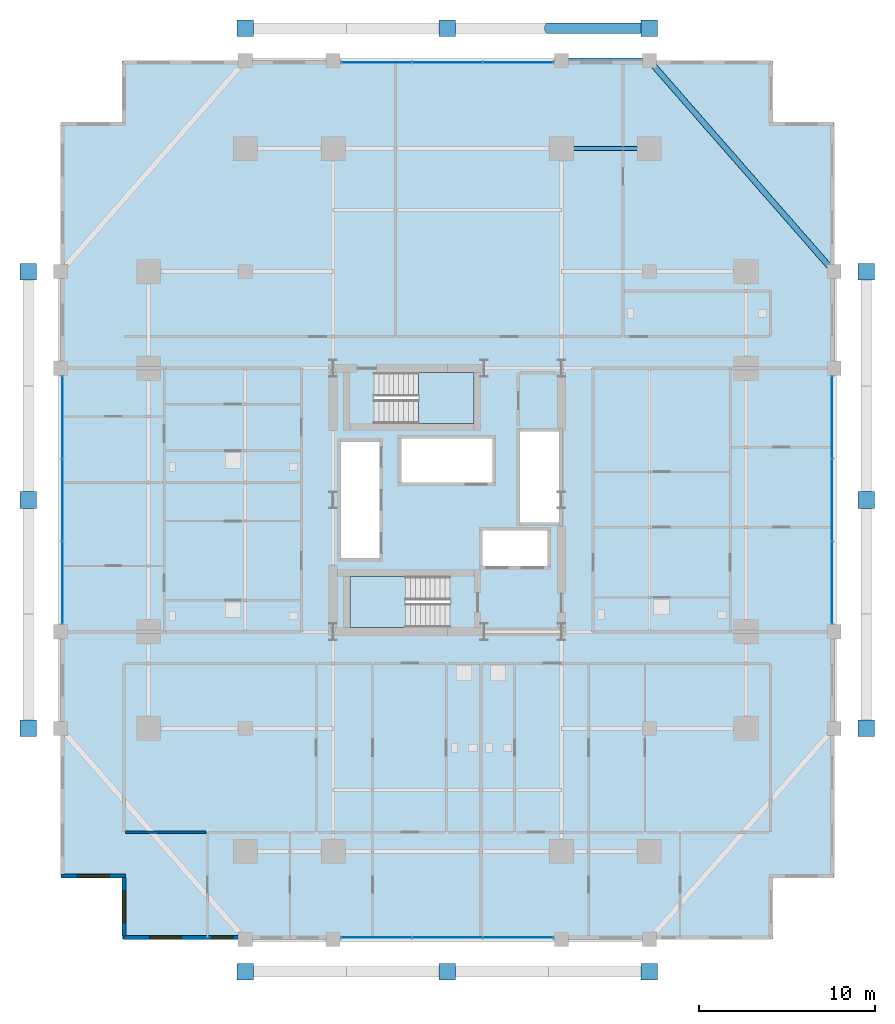
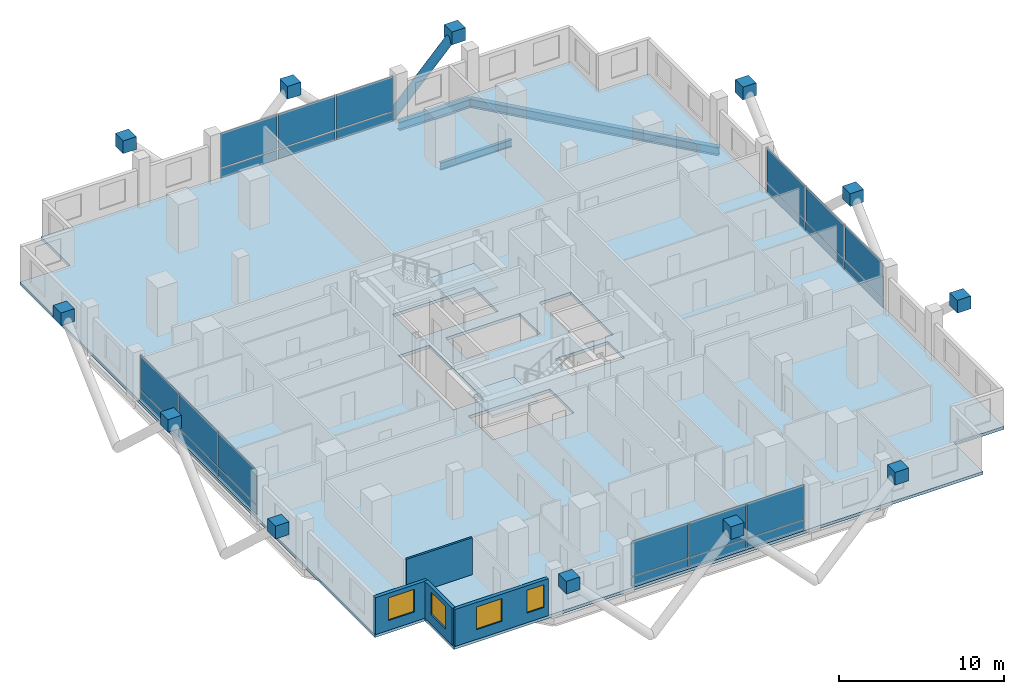
# One storey, part 16 of 23: 36 plates, 4 walls, 4 windows, 3 beams, 3 slabs, 1 member, 4 openings, 6 elements without a shape of their own.
"""IFC4 building model written with IfcOpenShell, lengths in metres."""

from ifc_helpers import new_model, si_unit, direction, frame, frame_2d, origin, origin_2d, place, context, subcontext, project, spatial, polyline, rectangle, hollow_circle, i_section, outline, extrude, material, layer, layer_set, material_profile, profile_set, type_object, element, fill, aggregate, save


model = new_model("IFC4")

# Units and contexts
model_context = context("Model", 3, precision=1e-05, world=origin(), true_north=direction((0.0, 1.0)))
body_context = subcontext(model_context, "Body", "Model", "MODEL_VIEW")
ifc_project = project(units=[si_unit("LENGTHUNIT", "METRE"), si_unit("AREAUNIT", "SQUARE_METRE"), si_unit("VOLUMEUNIT", "CUBIC_METRE"), si_unit("PLANEANGLEUNIT", "RADIAN"), si_unit("MASSUNIT", "GRAM", prefix="KILO")], contexts=[model_context])

# Site, building, storey
site_placement = place(None, origin())
site = spatial("IfcSite", under=ifc_project, at=site_placement, CompositionType="ELEMENT")
building_placement = place(site_placement, origin())
building = spatial("IfcBuilding", under=site, at=building_placement, Name="Barlavira Tower and Art Museum", CompositionType="ELEMENT")
storey_placement = place(building_placement, frame((0.0, 0.0, 36.0)))
storey = spatial("IfcBuildingStorey", under=building, at=storey_placement, Name="L07", CompositionType="ELEMENT", Elevation=36.0)

# Member
ifc_material_1 = material(Name="Steel S355", Category="steel")
ifc_material_profile_1 = material_profile(ifc_material_1, hollow_circle(Radius=0.304931640625, WallThickness=0.028076171875, at=origin_2d()), Name="CHS 610.0x28.0")
ifc_profile_set_1 = profile_set([ifc_material_profile_1], Name="Steel S355")
member_type = type_object("IfcMemberType", Name="Pale-Metal Exoskeleton Diagrid Tube CHS 610x28 Steel S355", PredefinedType="BRACE", material=ifc_profile_set_1)
member_placement = place(storey_placement, frame((5.75, 26.85009765625, -2.52001953125), z_axis=(0.691905363236, 0.0, 0.721988205115), x_axis=(0.0, 1.0, 0.0)))
element("IfcMember", 1, at=member_placement, inside=storey, type_object=member_type, Name="L07 Exoskeleton Diagrid Tube N", PredefinedType="BRACE", context=body_context, shape_type="SweptSolid", body=[
    extrude(hollow_circle(Radius=0.304931640625, WallThickness=0.028076171875, at=origin_2d()), origin(), (0.0, 0.0, 1.0), 8.310302734375),
])

# Beams
ifc_material_profile_2 = material_profile(ifc_material_1, i_section(OverallWidth=0.327880859375, OverallDepth=0.62890625, WebThickness=0.013916015625, FlangeThickness=0.021484375, at=origin_2d()), Name="W610x174.0")
ifc_profile_set_2 = profile_set([ifc_material_profile_2], Name="Steel S355")
beam_type_1 = type_object("IfcBeamType", Name="Perimeter Spandrel Edge Beam W610x174 Steel S355", PredefinedType="SPANDREL", material=ifc_profile_set_2)
beam_1_placement = place(storey_placement, frame((22.0, 13.0, -0.534423828125), z_axis=(-0.658504607869, 0.752576694707, 0.0), x_axis=(-0.752576694707, -0.658504607869, 0.0)))
element("IfcBeam", 2, at=beam_1_placement, inside=storey, type_object=beam_type_1, Name="L07 Spandrel 8", PredefinedType="SPANDREL", context=body_context, shape_type="SweptSolid", body=[
    extrude(i_section(OverallWidth=0.327880859375, OverallDepth=0.62890625, WebThickness=0.013916015625, FlangeThickness=0.021484375, at=origin_2d()), origin(), (0.0, 0.0, 1.0), 15.9453125),
])
beam_2_placement = place(storey_placement, frame((6.5, 25.0, -0.534423828125), z_axis=(1.0, 0.0, 0.0), x_axis=(0.0, 1.0, 0.0)))
element("IfcBeam", 3, at=beam_2_placement, inside=storey, type_object=beam_type_1, Name="L07 Spandrel 9", PredefinedType="SPANDREL", context=body_context, shape_type="SweptSolid", body=[
    extrude(i_section(OverallWidth=0.327880859375, OverallDepth=0.62890625, WebThickness=0.013916015625, FlangeThickness=0.021484375, at=origin_2d()), origin(), (0.0, 0.0, 1.0), 5.0),
])
ifc_material_profile_3 = material_profile(ifc_material_1, i_section(OverallWidth=0.214111328125, OverallDepth=0.549072265625, WebThickness=0.0146484375, FlangeThickness=0.023681640625, at=origin_2d()), Name="W530x138.0")
ifc_profile_set_3 = profile_set([ifc_material_profile_3], Name="Steel S355")
beam_type_2 = type_object("IfcBeamType", Name="Zone 1 Primary Floor Girder W530x138 Steel S355", PredefinedType="BEAM", material=ifc_profile_set_3)
beam_3_placement = place(storey_placement, frame((6.5, 20.0, -0.494384765625), z_axis=(1.0, 0.0, 0.0), x_axis=(0.0, 1.0, 0.0)))
element("IfcBeam", 4, at=beam_3_placement, inside=storey, type_object=beam_type_2, Name="L07 Girder M-N3", PredefinedType="BEAM", context=body_context, shape_type="SweptSolid", body=[
    extrude(i_section(OverallWidth=0.214111328125, OverallDepth=0.549072265625, WebThickness=0.0146484375, FlangeThickness=0.023681640625, at=origin_2d()), origin(), (0.0, 0.0, 1.0), 5.0),
])

# Curtain wall, plates
ifc_material_2 = material(Name="Low-iron coastal laminated glass", Category="glass")
ifc_layer_1 = layer(ifc_material_2, 0.179931640625, Name="Low-iron coastal laminated glass")
ifc_layer_set_1 = layer_set([ifc_layer_1], Name="Low-iron coastal laminated glass")
curtain_wall_type = type_object("IfcCurtainWallType", Name="Pale-Metal Unitised Curtain Wall Zone 1", PredefinedType="NOTDEFINED", material=ifc_layer_set_1)
curtain_wall_1_placement = place(storey_placement, origin())
curtain_wall_1 = element("IfcCurtainWall", 5, at=curtain_wall_1_placement, inside=storey, type_object=curtain_wall_type, Name="L07 Curtain Wall CW1-L07-S-B3", PredefinedType="NOTDEFINED")
ifc_material_3 = material(Name="Pale anodised aluminium", Category="aluminium")
ifc_layer_2 = layer(ifc_material_3, 0.044921875, Name="Pale anodised aluminium")
ifc_layer_set_2 = layer_set([ifc_layer_2], Name="Pale anodised aluminium")
plate_type_1 = type_object("IfcPlateType", Name="Curtain Wall Pale-Metal Spandrel Panel 45", PredefinedType="CURTAIN_PANEL", material=ifc_layer_set_2)
plate_1_placement = place(storey_placement, frame((-4.05322265625, -24.89990234375, 0.0400390625), z_axis=(0.0, 0.0, 1.0), x_axis=(1.0, 0.0, 0.0)))
plate_1 = element("IfcPlate", 6, at=plate_1_placement, type_object=plate_type_1, Name="CW1-L07-S-B3 Spandrel Panel 0", PredefinedType="CURTAIN_PANEL", context=body_context, shape_type="SweptSolid", body=[
    extrude(rectangle(XDim=3.953369140625, YDim=0.044921875, at=origin_2d()), origin(), (0.0, 0.0, 1.0), 0.6640625),
])
plate_2_placement = place(storey_placement, frame((0.0, -24.89990234375, 0.0400390625), z_axis=(0.0, 0.0, 1.0), x_axis=(1.0, 0.0, 0.0)))
plate_2 = element("IfcPlate", 7, at=plate_2_placement, type_object=plate_type_1, Name="CW1-L07-S-B3 Spandrel Panel 1", PredefinedType="CURTAIN_PANEL", context=body_context, shape_type="SweptSolid", body=[
    extrude(rectangle(XDim=3.953369140625, YDim=0.044921875, at=origin_2d()), origin(), (0.0, 0.0, 1.0), 0.6640625),
])
plate_3_placement = place(storey_placement, frame((4.05322265625, -24.89990234375, 0.0400390625), z_axis=(0.0, 0.0, 1.0), x_axis=(1.0, 0.0, 0.0)))
plate_3 = element("IfcPlate", 8, at=plate_3_placement, type_object=plate_type_1, Name="CW1-L07-S-B3 Spandrel Panel 2", PredefinedType="CURTAIN_PANEL", context=body_context, shape_type="SweptSolid", body=[
    extrude(rectangle(XDim=3.953369140625, YDim=0.044921875, at=origin_2d()), origin(), (0.0, 0.0, 1.0), 0.6640625),
])

curtain_wall_2_placement = place(storey_placement, origin())
curtain_wall_2 = element("IfcCurtainWall", 9, at=curtain_wall_2_placement, inside=storey, type_object=curtain_wall_type, Name="L07 Curtain Wall CW1-L07-N-B3", PredefinedType="NOTDEFINED")
plate_4_placement = place(storey_placement, frame((4.05322265625, 24.89990234375, 0.0400390625), z_axis=(0.0, 0.0, 1.0), x_axis=(-1.0, 0.0, 0.0)))
plate_4 = element("IfcPlate", 10, at=plate_4_placement, type_object=plate_type_1, Name="CW1-L07-N-B3 Spandrel Panel 0", PredefinedType="CURTAIN_PANEL", context=body_context, shape_type="SweptSolid", body=[
    extrude(rectangle(XDim=3.953369140625, YDim=0.044921875, at=origin_2d()), origin(), (0.0, 0.0, 1.0), 0.6640625),
])
plate_5_placement = place(storey_placement, frame((0.0, 24.89990234375, 0.0400390625), z_axis=(0.0, 0.0, 1.0), x_axis=(-1.0, 0.0, 0.0)))
plate_5 = element("IfcPlate", 11, at=plate_5_placement, type_object=plate_type_1, Name="CW1-L07-N-B3 Spandrel Panel 1", PredefinedType="CURTAIN_PANEL", context=body_context, shape_type="SweptSolid", body=[
    extrude(rectangle(XDim=3.953369140625, YDim=0.044921875, at=origin_2d()), origin(), (0.0, 0.0, 1.0), 0.6640625),
])
plate_6_placement = place(storey_placement, frame((-4.05322265625, 24.89990234375, 0.0400390625), z_axis=(0.0, 0.0, 1.0), x_axis=(-1.0, 0.0, 0.0)))
plate_6 = element("IfcPlate", 12, at=plate_6_placement, type_object=plate_type_1, Name="CW1-L07-N-B3 Spandrel Panel 2", PredefinedType="CURTAIN_PANEL", context=body_context, shape_type="SweptSolid", body=[
    extrude(rectangle(XDim=3.953369140625, YDim=0.044921875, at=origin_2d()), origin(), (0.0, 0.0, 1.0), 0.6640625),
])

curtain_wall_3_placement = place(storey_placement, origin())
curtain_wall_3 = element("IfcCurtainWall", 13, at=curtain_wall_3_placement, inside=storey, type_object=curtain_wall_type, Name="L07 Curtain Wall CW1-L07-W-B3", PredefinedType="NOTDEFINED")
plate_7_placement = place(storey_placement, frame((-21.89990234375, 4.719970703125, 0.0400390625), z_axis=(0.0, 0.0, 1.0), x_axis=(0.0, -1.0, 0.0)))
plate_7 = element("IfcPlate", 14, at=plate_7_placement, type_object=plate_type_1, Name="CW1-L07-W-B3 Spandrel Panel 0", PredefinedType="CURTAIN_PANEL", context=body_context, shape_type="SweptSolid", body=[
    extrude(rectangle(XDim=4.6201171875, YDim=0.044921875, at=origin_2d()), origin(), (0.0, 0.0, 1.0), 0.6640625),
])
plate_8_placement = place(storey_placement, frame((-21.89990234375, 0.0, 0.0400390625), z_axis=(0.0, 0.0, 1.0), x_axis=(0.0, -1.0, 0.0)))
plate_8 = element("IfcPlate", 15, at=plate_8_placement, type_object=plate_type_1, Name="CW1-L07-W-B3 Spandrel Panel 1", PredefinedType="CURTAIN_PANEL", context=body_context, shape_type="SweptSolid", body=[
    extrude(rectangle(XDim=4.6201171875, YDim=0.044921875, at=origin_2d()), origin(), (0.0, 0.0, 1.0), 0.6640625),
])
plate_9_placement = place(storey_placement, frame((-21.89990234375, -4.719970703125, 0.0400390625), z_axis=(0.0, 0.0, 1.0), x_axis=(0.0, -1.0, 0.0)))
plate_9 = element("IfcPlate", 16, at=plate_9_placement, type_object=plate_type_1, Name="CW1-L07-W-B3 Spandrel Panel 2", PredefinedType="CURTAIN_PANEL", context=body_context, shape_type="SweptSolid", body=[
    extrude(rectangle(XDim=4.6201171875, YDim=0.044921875, at=origin_2d()), origin(), (0.0, 0.0, 1.0), 0.6640625),
])

curtain_wall_4_placement = place(storey_placement, origin())
curtain_wall_4 = element("IfcCurtainWall", 17, at=curtain_wall_4_placement, inside=storey, type_object=curtain_wall_type, Name="L07 Curtain Wall CW1-L07-E-B3", PredefinedType="NOTDEFINED")
plate_10_placement = place(storey_placement, frame((21.89990234375, -4.719970703125, 0.0400390625), z_axis=(0.0, 0.0, 1.0), x_axis=(0.0, 1.0, 0.0)))
plate_10 = element("IfcPlate", 18, at=plate_10_placement, type_object=plate_type_1, Name="CW1-L07-E-B3 Spandrel Panel 0", PredefinedType="CURTAIN_PANEL", context=body_context, shape_type="SweptSolid", body=[
    extrude(rectangle(XDim=4.6201171875, YDim=0.044921875, at=origin_2d()), origin(), (0.0, 0.0, 1.0), 0.6640625),
])
plate_11_placement = place(storey_placement, frame((21.89990234375, 0.0, 0.0400390625), z_axis=(0.0, 0.0, 1.0), x_axis=(0.0, 1.0, 0.0)))
plate_11 = element("IfcPlate", 19, at=plate_11_placement, type_object=plate_type_1, Name="CW1-L07-E-B3 Spandrel Panel 1", PredefinedType="CURTAIN_PANEL", context=body_context, shape_type="SweptSolid", body=[
    extrude(rectangle(XDim=4.6201171875, YDim=0.044921875, at=origin_2d()), origin(), (0.0, 0.0, 1.0), 0.6640625),
])
plate_12_placement = place(storey_placement, frame((21.89990234375, 4.719970703125, 0.0400390625), z_axis=(0.0, 0.0, 1.0), x_axis=(0.0, 1.0, 0.0)))
plate_12 = element("IfcPlate", 20, at=plate_12_placement, type_object=plate_type_1, Name="CW1-L07-E-B3 Spandrel Panel 2", PredefinedType="CURTAIN_PANEL", context=body_context, shape_type="SweptSolid", body=[
    extrude(rectangle(XDim=4.6201171875, YDim=0.044921875, at=origin_2d()), origin(), (0.0, 0.0, 1.0), 0.6640625),
])

# Plate
ifc_layer_3 = layer(ifc_material_2, 0.028076171875, Name="Low-iron coastal laminated glass")
ifc_layer_set_3 = layer_set([ifc_layer_3], Name="Low-iron coastal laminated glass")
plate_type_2 = type_object("IfcPlateType", Name="Curtain Wall Vision Glazing Panel 28", PredefinedType="CURTAIN_PANEL", material=ifc_layer_set_3)
plate_13_placement = place(storey_placement, frame((-4.05322265625, -24.89990234375, 0.7841796875), z_axis=(0.0, 0.0, 1.0), x_axis=(1.0, 0.0, 0.0)))
plate_13 = element("IfcPlate", 21, at=plate_13_placement, type_object=plate_type_2, Name="CW1-L07-S-B3 Vision Glass Panel 0", PredefinedType="CURTAIN_PANEL", context=body_context, shape_type="SweptSolid", body=[
    extrude(rectangle(XDim=3.953369140625, YDim=0.028076171875, at=origin_2d()), origin(), (0.0, 0.0, 1.0), 2.555908203125),
])

plate_14_placement = place(storey_placement, frame((0.0, -24.89990234375, 0.7841796875), z_axis=(0.0, 0.0, 1.0), x_axis=(1.0, 0.0, 0.0)))
plate_14 = element("IfcPlate", 22, at=plate_14_placement, type_object=plate_type_2, Name="CW1-L07-S-B3 Vision Glass Panel 1", PredefinedType="CURTAIN_PANEL", context=body_context, shape_type="SweptSolid", body=[
    extrude(rectangle(XDim=3.953369140625, YDim=0.028076171875, at=origin_2d()), origin(), (0.0, 0.0, 1.0), 2.555908203125),
])

plate_15_placement = place(storey_placement, frame((4.05322265625, -24.89990234375, 0.7841796875), z_axis=(0.0, 0.0, 1.0), x_axis=(1.0, 0.0, 0.0)))
plate_15 = element("IfcPlate", 23, at=plate_15_placement, type_object=plate_type_2, Name="CW1-L07-S-B3 Vision Glass Panel 2", PredefinedType="CURTAIN_PANEL", context=body_context, shape_type="SweptSolid", body=[
    extrude(rectangle(XDim=3.953369140625, YDim=0.028076171875, at=origin_2d()), origin(), (0.0, 0.0, 1.0), 2.555908203125),
])

aggregate(curtain_wall_1, [plate_1, plate_13, plate_2, plate_14, plate_3, plate_15])

plate_16_placement = place(storey_placement, frame((4.05322265625, 24.89990234375, 0.7841796875), z_axis=(0.0, 0.0, 1.0), x_axis=(-1.0, 0.0, 0.0)))
plate_16 = element("IfcPlate", 24, at=plate_16_placement, type_object=plate_type_2, Name="CW1-L07-N-B3 Vision Glass Panel 0", PredefinedType="CURTAIN_PANEL", context=body_context, shape_type="SweptSolid", body=[
    extrude(rectangle(XDim=3.953369140625, YDim=0.028076171875, at=origin_2d()), origin(), (0.0, 0.0, 1.0), 2.555908203125),
])

plate_17_placement = place(storey_placement, frame((0.0, 24.89990234375, 0.7841796875), z_axis=(0.0, 0.0, 1.0), x_axis=(-1.0, 0.0, 0.0)))
plate_17 = element("IfcPlate", 25, at=plate_17_placement, type_object=plate_type_2, Name="CW1-L07-N-B3 Vision Glass Panel 1", PredefinedType="CURTAIN_PANEL", context=body_context, shape_type="SweptSolid", body=[
    extrude(rectangle(XDim=3.953369140625, YDim=0.028076171875, at=origin_2d()), origin(), (0.0, 0.0, 1.0), 2.555908203125),
])

plate_18_placement = place(storey_placement, frame((-4.05322265625, 24.89990234375, 0.7841796875), z_axis=(0.0, 0.0, 1.0), x_axis=(-1.0, 0.0, 0.0)))
plate_18 = element("IfcPlate", 26, at=plate_18_placement, type_object=plate_type_2, Name="CW1-L07-N-B3 Vision Glass Panel 2", PredefinedType="CURTAIN_PANEL", context=body_context, shape_type="SweptSolid", body=[
    extrude(rectangle(XDim=3.953369140625, YDim=0.028076171875, at=origin_2d()), origin(), (0.0, 0.0, 1.0), 2.555908203125),
])

aggregate(curtain_wall_2, [plate_4, plate_16, plate_5, plate_17, plate_6, plate_18])

plate_19_placement = place(storey_placement, frame((-21.89990234375, 4.719970703125, 0.7841796875), z_axis=(0.0, 0.0, 1.0), x_axis=(0.0, -1.0, 0.0)))
plate_19 = element("IfcPlate", 27, at=plate_19_placement, type_object=plate_type_2, Name="CW1-L07-W-B3 Vision Glass Panel 0", PredefinedType="CURTAIN_PANEL", context=body_context, shape_type="SweptSolid", body=[
    extrude(rectangle(XDim=4.6201171875, YDim=0.028076171875, at=origin_2d()), origin(), (0.0, 0.0, 1.0), 2.555908203125),
])

plate_20_placement = place(storey_placement, frame((-21.89990234375, 0.0, 0.7841796875), z_axis=(0.0, 0.0, 1.0), x_axis=(0.0, -1.0, 0.0)))
plate_20 = element("IfcPlate", 28, at=plate_20_placement, type_object=plate_type_2, Name="CW1-L07-W-B3 Vision Glass Panel 1", PredefinedType="CURTAIN_PANEL", context=body_context, shape_type="SweptSolid", body=[
    extrude(rectangle(XDim=4.6201171875, YDim=0.028076171875, at=origin_2d()), origin(), (0.0, 0.0, 1.0), 2.555908203125),
])

plate_21_placement = place(storey_placement, frame((-21.89990234375, -4.719970703125, 0.7841796875), z_axis=(0.0, 0.0, 1.0), x_axis=(0.0, -1.0, 0.0)))
plate_21 = element("IfcPlate", 29, at=plate_21_placement, type_object=plate_type_2, Name="CW1-L07-W-B3 Vision Glass Panel 2", PredefinedType="CURTAIN_PANEL", context=body_context, shape_type="SweptSolid", body=[
    extrude(rectangle(XDim=4.6201171875, YDim=0.028076171875, at=origin_2d()), origin(), (0.0, 0.0, 1.0), 2.555908203125),
])

aggregate(curtain_wall_3, [plate_7, plate_19, plate_8, plate_20, plate_9, plate_21])

plate_22_placement = place(storey_placement, frame((21.89990234375, -4.719970703125, 0.7841796875), z_axis=(0.0, 0.0, 1.0), x_axis=(0.0, 1.0, 0.0)))
plate_22 = element("IfcPlate", 30, at=plate_22_placement, type_object=plate_type_2, Name="CW1-L07-E-B3 Vision Glass Panel 0", PredefinedType="CURTAIN_PANEL", context=body_context, shape_type="SweptSolid", body=[
    extrude(rectangle(XDim=4.6201171875, YDim=0.028076171875, at=origin_2d()), origin(), (0.0, 0.0, 1.0), 2.555908203125),
])

plate_23_placement = place(storey_placement, frame((21.89990234375, 0.0, 0.7841796875), z_axis=(0.0, 0.0, 1.0), x_axis=(0.0, 1.0, 0.0)))
plate_23 = element("IfcPlate", 31, at=plate_23_placement, type_object=plate_type_2, Name="CW1-L07-E-B3 Vision Glass Panel 1", PredefinedType="CURTAIN_PANEL", context=body_context, shape_type="SweptSolid", body=[
    extrude(rectangle(XDim=4.6201171875, YDim=0.028076171875, at=origin_2d()), origin(), (0.0, 0.0, 1.0), 2.555908203125),
])

plate_24_placement = place(storey_placement, frame((21.89990234375, 4.719970703125, 0.7841796875), z_axis=(0.0, 0.0, 1.0), x_axis=(0.0, 1.0, 0.0)))
plate_24 = element("IfcPlate", 32, at=plate_24_placement, type_object=plate_type_2, Name="CW1-L07-E-B3 Vision Glass Panel 2", PredefinedType="CURTAIN_PANEL", context=body_context, shape_type="SweptSolid", body=[
    extrude(rectangle(XDim=4.6201171875, YDim=0.028076171875, at=origin_2d()), origin(), (0.0, 0.0, 1.0), 2.555908203125),
])

aggregate(curtain_wall_4, [plate_10, plate_22, plate_11, plate_23, plate_12, plate_24])

# Plates
ifc_layer_4 = layer(ifc_material_1, 0.93994140625, Name="Steel S355")
ifc_layer_set_4 = layer_set([ifc_layer_4], Name="Steel S355")
plate_type_3 = type_object("IfcPlateType", Name="Exoskeleton Solid Steel Node Cap Plate Assembly Type 1 Steel S355", PredefinedType="USERDEFINED", material=ifc_layer_set_4)
for number, where, z_axis, x_axis, name in (
    (33, (-11.5, -26.85009765625, 3.010009765625), (0.0, 0.0, 1.0), (1.0, 0.0, 0.0), "Exoskeleton Node S ND-L07-0004"),
    (34, (0.0, -26.85009765625, 3.010009765625), (0.0, 0.0, 1.0), (1.0, 0.0, 0.0), "Exoskeleton Node S ND-L07-0005"),
    (35, (11.5, -26.85009765625, 3.010009765625), (0.0, 0.0, 1.0), (1.0, 0.0, 0.0), "Exoskeleton Node S ND-L07-0006"),
    (36, (-11.5, 26.85009765625, 3.010009765625), (0.0, 0.0, 1.0), (1.0, 0.0, 0.0), "Exoskeleton Node N ND-L07-0015"),
    (37, (0.0, 26.85009765625, 3.010009765625), (0.0, 0.0, 1.0), (1.0, 0.0, 0.0), "Exoskeleton Node N ND-L07-0016"),
    (38, (11.5, 26.85009765625, 3.010009765625), (0.0, 0.0, 1.0), (1.0, 0.0, 0.0), "Exoskeleton Node N ND-L07-0017"),
    (39, (-23.85009765625, -13.0, 3.010009765625), (0.0, 0.0, 1.0), (1.0, 0.0, 0.0), "Exoskeleton Node W ND-L07-0026"),
    (40, (-23.85009765625, 0.0, 3.010009765625), (0.0, 0.0, 1.0), (1.0, 0.0, 0.0), "Exoskeleton Node W ND-L07-0027"),
    (41, (-23.85009765625, 13.0, 3.010009765625), (0.0, 0.0, 1.0), (1.0, 0.0, 0.0), "Exoskeleton Node W ND-L07-0028"),
    (42, (23.85009765625, -13.0, 3.010009765625), (0.0, 0.0, 1.0), (1.0, 0.0, 0.0), "Exoskeleton Node E ND-L07-0037"),
    (43, (23.85009765625, 0.0, 3.010009765625), (0.0, 0.0, 1.0), (1.0, 0.0, 0.0), "Exoskeleton Node E ND-L07-0038"),
    (44, (23.85009765625, 13.0, 3.010009765625), (0.0, 0.0, 1.0), (1.0, 0.0, 0.0), "Exoskeleton Node E ND-L07-0039"),
):
    element("IfcPlate", number, at=place(storey_placement, frame(where, z_axis=z_axis, x_axis=x_axis)), inside=storey, type_object=plate_type_3, Name=name, ObjectType="FLANGE_PLATE", PredefinedType="USERDEFINED", context=body_context, shape_type="SweptSolid", body=[
        extrude(rectangle(XDim=0.93994140625, YDim=0.93994140625, at=origin_2d()), origin(), (0.0, 0.0, 1.0), 0.93994140625),
    ])

# Stair, slab
ifc_material_4 = material(Name="Concrete C45", Category="concrete")
stair_type_1 = type_object("IfcStairType", Name="Tower North Dog-Leg Exit Stair Assembly Concrete C45", PredefinedType="TWO_QUARTER_TURN_STAIR", material=ifc_material_4)
stair_1_placement = place(storey_placement, origin())
stair_1 = element("IfcStair", 45, at=stair_1_placement, inside=storey, type_object=stair_type_1, Name="L07 Tower North Exit Stair ST-T2", PredefinedType="TWO_QUARTER_TURN_STAIR")
ifc_layer_5 = layer(ifc_material_4, 0.199951171875, Name="Concrete C45")
ifc_layer_set_5 = layer_set([ifc_layer_5], Name="Concrete C45")
slab_type_1 = type_object("IfcSlabType", Name="Tower North Dog-Leg Exit Stair Half-Landing Slab 200 Concrete C45", PredefinedType="LANDING", material=ifc_layer_set_5)
slab_1_placement = place(storey_placement, frame((0.0, 0.0, 1.60009765625)))
slab_1 = element("IfcSlab", 46, at=slab_1_placement, type_object=slab_type_1, Name="ST-T2 landing 1", PredefinedType="LANDING", context=body_context, shape_type="SweptSolid", body=[
    extrude(outline(polyline([(-1.64990234375, 4.35009765625), (1.530029296875, 4.35009765625), (1.530029296875, 7.25), (-1.64990234375, 7.25), (-1.64990234375, 4.35009765625)])), origin(), (0.0, 0.0, 1.0), 0.199951171875),
])
aggregate(stair_1, [slab_1])

stair_type_2 = type_object("IfcStairType", Name="Tower South Dog-Leg Exit Stair Assembly Concrete C45", PredefinedType="TWO_QUARTER_TURN_STAIR", material=ifc_material_4)
stair_2_placement = place(storey_placement, origin())
stair_2 = element("IfcStair", 47, at=stair_2_placement, inside=storey, type_object=stair_type_2, Name="L07 Tower South Exit Stair ST-T1", PredefinedType="TWO_QUARTER_TURN_STAIR")
ifc_layer_6 = layer(ifc_material_4, 0.199951171875, Name="Concrete C45")
ifc_layer_set_6 = layer_set([ifc_layer_6], Name="Concrete C45")
slab_type_2 = type_object("IfcSlabType", Name="Tower South Dog-Leg Exit Stair Half-Landing Slab 200 Concrete C45", PredefinedType="LANDING", material=ifc_layer_set_6)
slab_2_placement = place(storey_placement, frame((0.0, 0.0, 1.60009765625)))
slab_2 = element("IfcSlab", 48, at=slab_2_placement, type_object=slab_type_2, Name="ST-T1 landing 1", PredefinedType="LANDING", context=body_context, shape_type="SweptSolid", body=[
    extrude(outline(polyline([(-2.3701171875, -4.35009765625), (-5.550048828125, -4.35009765625), (-5.550048828125, -7.25), (-2.3701171875, -7.25), (-2.3701171875, -4.35009765625)])), origin(), (0.0, 0.0, 1.0), 0.199951171875),
])
aggregate(stair_2, [slab_2])

# Slab
ifc_material_5 = material(Name="Concrete C50", Category="concrete")
ifc_layer_7 = layer(ifc_material_5, 0.219970703125, Name="Concrete C50")
ifc_layer_set_7 = layer_set([ifc_layer_7], Name="Concrete C50")
slab_type_3 = type_object("IfcSlabType", Name="Zone 1 Residential Composite Slab 220 Concrete C50", PredefinedType="FLOOR", material=ifc_layer_set_7)
slab_3_placement = place(storey_placement, frame((0.0, 0.0, -0.219970703125)))
element("IfcSlab", 49, at=slab_3_placement, inside=storey, type_object=slab_type_3, Name="L07 Tower Floor Slab", PredefinedType="FLOOR", context=body_context, shape_type="SweptSolid", body=[
    extrude(outline(polyline([(-18.5, -25.0), (18.5, -25.0), (18.5, -21.5), (22.0, -21.5), (22.0, 21.5), (18.5, 21.5), (18.5, 25.0), (-18.5, 25.0), (-18.5, 21.5), (-22.0, 21.5), (-22.0, -21.5), (-18.5, -21.5), (-18.5, -25.0)]), holes=[polyline([(0.14990234375, -4.35009765625), (-5.550048828125, -4.35009765625), (-5.550048828125, -7.25), (0.14990234375, -7.25), (0.14990234375, -4.35009765625)]), polyline([(-4.169921875, 4.35009765625), (1.530029296875, 4.35009765625), (1.530029296875, 7.25), (-4.169921875, 7.25), (-4.169921875, 4.35009765625)]), polyline([(-6.050048828125, -3.31005859375), (-3.85009765625, -3.31005859375), (-3.85009765625, 3.31005859375), (-6.050048828125, 3.31005859375), (-6.050048828125, -3.31005859375)]), polyline([(4.14990234375, -1.2900390625), (6.35009765625, -1.2900390625), (6.35009765625, 3.889892578125), (4.14990234375, 3.889892578125), (4.14990234375, -1.2900390625)]), polyline([(-2.6201171875, 1.0), (2.56005859375, 1.0), (2.56005859375, 3.5), (-2.6201171875, 3.5), (-2.6201171875, 1.0)]), polyline([(2.0, -3.75), (5.699951171875, -3.75), (5.699951171875, -1.75), (2.0, -1.75), (2.0, -3.75)])]), origin(), (0.0, 0.0, 1.0), 0.219970703125),
])

# Wall
ifc_material_6 = material(Name="Gypsum acoustic stud partition", Category="gypsum")
ifc_layer_8 = layer(ifc_material_6, 0.139892578125, Name="Gypsum acoustic stud partition")
ifc_layer_set_8 = layer_set([ifc_layer_8], Name="Gypsum acoustic stud partition")
wall_type_1 = type_object("IfcWallType", Name="Moisture-Resistant Bathroom Partition 140", PredefinedType="PARTITIONING", material=ifc_layer_set_8)
wall_1_placement = place(storey_placement, frame((-18.320068359375, -18.89990234375, 0.0), z_axis=(0.0, 0.0, 1.0), x_axis=(1.0, 0.0, 0.0)))
element("IfcWall", 50, at=wall_1_placement, inside=storey, type_object=wall_type_1, Name="L07 Partition Wall 21", PredefinedType="PARTITIONING", context=body_context, shape_type="SweptSolid", body=[
    extrude(rectangle(XDim=4.590087890625, YDim=0.139892578125, at=frame_2d((2.294921875, 0.0))), origin(), (0.0, 0.0, 1.0), 2.736083984375),
])

# Wall, openings, windows
ifc_material_7 = material(Name="Precast concrete C40", Category="concrete")
ifc_layer_9 = layer(ifc_material_7, 0.25, Name="Precast concrete C40")
ifc_layer_set_9 = layer_set([ifc_layer_9], Name="Precast concrete C40")
wall_type_2 = type_object("IfcWallType", Name="Notched Corner Spandrel Wall 250 Precast Concrete C40", PredefinedType="SOLIDWALL", material=ifc_layer_set_9)
wall_2_placement = place(storey_placement, frame((-18.425048828125, -24.89990234375, 0.0), z_axis=(0.0, 0.0, 1.0), x_axis=(1.0, 0.0, 0.0)))
wall_2 = element("IfcWall", 51, at=wall_2_placement, inside=storey, type_object=wall_type_2, Name="L07 Coastal Facade Pier Wall CW1-L07-S-1", PredefinedType="SOLIDWALL", context=body_context, shape_type="SweptSolid", body=[
    extrude(rectangle(XDim=6.530029296875, YDim=0.25, at=frame_2d((3.26513671875, 0.0))), origin(), (0.0, 0.0, 1.0), 2.736083984375),
])
opening_1_placement = place(wall_2_placement, frame((1.47802734375, 0.0, 0.719970703125)))
opening_1 = element("IfcOpeningElement", 52, at=opening_1_placement, cuts=wall_2, Name="Opening WN-01", PredefinedType="OPENING", context=body_context, shape_type="SweptSolid", body=[
    extrude(rectangle(XDim=1.800048828125, YDim=1.679931640625, at=frame_2d((0.89990234375, 0.83984375))), frame((0.0, 0.135009765625, 0.0), z_axis=(0.0, -1.0, 0.0), x_axis=(1.0, 0.0, 0.0)), (0.0, 0.0, 1.0), 0.27001953125),
])
opening_2_placement = place(wall_2_placement, frame((5.02001953125, 0.0, 0.719970703125)))
opening_2 = element("IfcOpeningElement", 53, at=opening_2_placement, cuts=wall_2, Name="Opening WN-05", PredefinedType="OPENING", context=body_context, shape_type="SweptSolid", body=[
    extrude(rectangle(XDim=1.199951171875, YDim=1.679931640625, at=frame_2d((0.60009765625, 0.83984375))), frame((0.0, 0.135009765625, 0.0), z_axis=(0.0, -1.0, 0.0), x_axis=(1.0, 0.0, 0.0)), (0.0, 0.0, 1.0), 0.27001953125),
])
window_type_1 = type_object("IfcWindowType", Name="Recessed Flank Pier Punch Window 1200x1680", PartitioningType="SINGLE_PANEL", PredefinedType="WINDOW", material=ifc_material_2)
window_1_placement = place(opening_2_placement, origin())
window_1 = element("IfcWindow", 54, at=window_1_placement, inside=storey, type_object=window_type_1, Name="L07 Punched Facade Window EWP-CW1-L07-S-1-2", OverallHeight=1.679931640625, OverallWidth=1.199951171875, PartitioningType="SINGLE_PANEL", PredefinedType="WINDOW", context=body_context, shape_type="SweptSolid", body=[
    extrude(rectangle(XDim=1.199951171875, YDim=1.679931640625, at=frame_2d((0.60009765625, 0.83984375))), frame((0.0, 0.030029296875, 0.0), z_axis=(0.0, -1.0, 0.0), x_axis=(1.0, 0.0, 0.0)), (0.0, 0.0, 1.0), 0.06005859375),
])
fill(opening_2, window_1)
window_type_2 = type_object("IfcWindowType", Name="Recessed Notch Corner Punch Window 1800x1680", PartitioningType="SINGLE_PANEL", PredefinedType="WINDOW", material=ifc_material_2)
window_2_placement = place(opening_1_placement, origin())
window_2 = element("IfcWindow", 55, at=window_2_placement, inside=storey, type_object=window_type_2, Name="L07 Punched Facade Window EWP-CW1-L07-S-1-1", OverallHeight=1.679931640625, OverallWidth=1.800048828125, PartitioningType="SINGLE_PANEL", PredefinedType="WINDOW", context=body_context, shape_type="SweptSolid", body=[
    extrude(rectangle(XDim=1.800048828125, YDim=1.679931640625, at=frame_2d((0.89990234375, 0.83984375))), frame((0.0, 0.030029296875, 0.0), z_axis=(0.0, -1.0, 0.0), x_axis=(1.0, 0.0, 0.0)), (0.0, 0.0, 1.0), 0.06005859375),
])
fill(opening_1, window_2)

# Wall, opening, window
wall_3_placement = place(storey_placement, frame((-21.97998046875, -21.39990234375, 0.0), z_axis=(0.0, 0.0, 1.0), x_axis=(1.0, 0.0, 0.0)))
wall_3 = element("IfcWall", 56, at=wall_3_placement, inside=storey, type_object=wall_type_2, Name="L07 Notch Corner Wall SW1", PredefinedType="SOLIDWALL", context=body_context, shape_type="SweptSolid", body=[
    extrude(rectangle(XDim=3.659912109375, YDim=0.25, at=frame_2d((1.830078125, 0.0))), origin(), (0.0, 0.0, 1.0), 2.736083984375),
])
opening_3_placement = place(wall_3_placement, frame((0.929931640625, 0.0, 0.719970703125)))
opening_3 = element("IfcOpeningElement", 57, at=opening_3_placement, cuts=wall_3, Name="Opening WN-01", PredefinedType="OPENING", context=body_context, shape_type="SweptSolid", body=[
    extrude(rectangle(XDim=1.800048828125, YDim=1.679931640625, at=frame_2d((0.89990234375, 0.83984375))), frame((0.0, 0.135009765625, 0.0), z_axis=(0.0, -1.0, 0.0), x_axis=(1.0, 0.0, 0.0)), (0.0, 0.0, 1.0), 0.27001953125),
])
window_3_placement = place(opening_3_placement, origin())
window_3 = element("IfcWindow", 58, at=window_3_placement, inside=storey, type_object=window_type_2, Name="L07 Punched Facade Window EW-NTC-L07-SW1-1", OverallHeight=1.679931640625, OverallWidth=1.800048828125, PartitioningType="SINGLE_PANEL", PredefinedType="WINDOW", context=body_context, shape_type="SweptSolid", body=[
    extrude(rectangle(XDim=1.800048828125, YDim=1.679931640625, at=frame_2d((0.89990234375, 0.83984375))), frame((0.0, 0.030029296875, 0.0), z_axis=(0.0, -1.0, 0.0), x_axis=(1.0, 0.0, 0.0)), (0.0, 0.0, 1.0), 0.06005859375),
])
fill(opening_3, window_3)

wall_4_placement = place(storey_placement, frame((-18.39990234375, -21.47998046875, 0.0), z_axis=(0.0, 0.0, 1.0), x_axis=(0.0, -1.0, 0.0)))
wall_4 = element("IfcWall", 59, at=wall_4_placement, inside=storey, type_object=wall_type_2, Name="L07 Notch Corner Wall SW2", PredefinedType="SOLIDWALL", context=body_context, shape_type="SweptSolid", body=[
    extrude(rectangle(XDim=3.340087890625, YDim=0.25, at=frame_2d((1.669921875, 0.0))), origin(), (0.0, 0.0, 1.0), 2.736083984375),
])
opening_4_placement = place(wall_4_placement, frame((0.77001953125, 0.0, 0.719970703125)))
opening_4 = element("IfcOpeningElement", 60, at=opening_4_placement, cuts=wall_4, Name="Opening WN-01", PredefinedType="OPENING", context=body_context, shape_type="SweptSolid", body=[
    extrude(rectangle(XDim=1.800048828125, YDim=1.679931640625, at=frame_2d((0.89990234375, 0.83984375))), frame((0.0, 0.135009765625, 0.0), z_axis=(0.0, -1.0, 0.0), x_axis=(1.0, 0.0, 0.0)), (0.0, 0.0, 1.0), 0.27001953125),
])
window_4_placement = place(opening_4_placement, origin())
window_4 = element("IfcWindow", 61, at=window_4_placement, inside=storey, type_object=window_type_2, Name="L07 Punched Facade Window EW-NTC-L07-SW2-1", OverallHeight=1.679931640625, OverallWidth=1.800048828125, PartitioningType="SINGLE_PANEL", PredefinedType="WINDOW", context=body_context, shape_type="SweptSolid", body=[
    extrude(rectangle(XDim=1.800048828125, YDim=1.679931640625, at=frame_2d((0.89990234375, 0.83984375))), frame((0.0, 0.030029296875, 0.0), z_axis=(0.0, -1.0, 0.0), x_axis=(1.0, 0.0, 0.0)), (0.0, 0.0, 1.0), 0.06005859375),
])
fill(opening_4, window_4)

save(model, "model.ifc")
